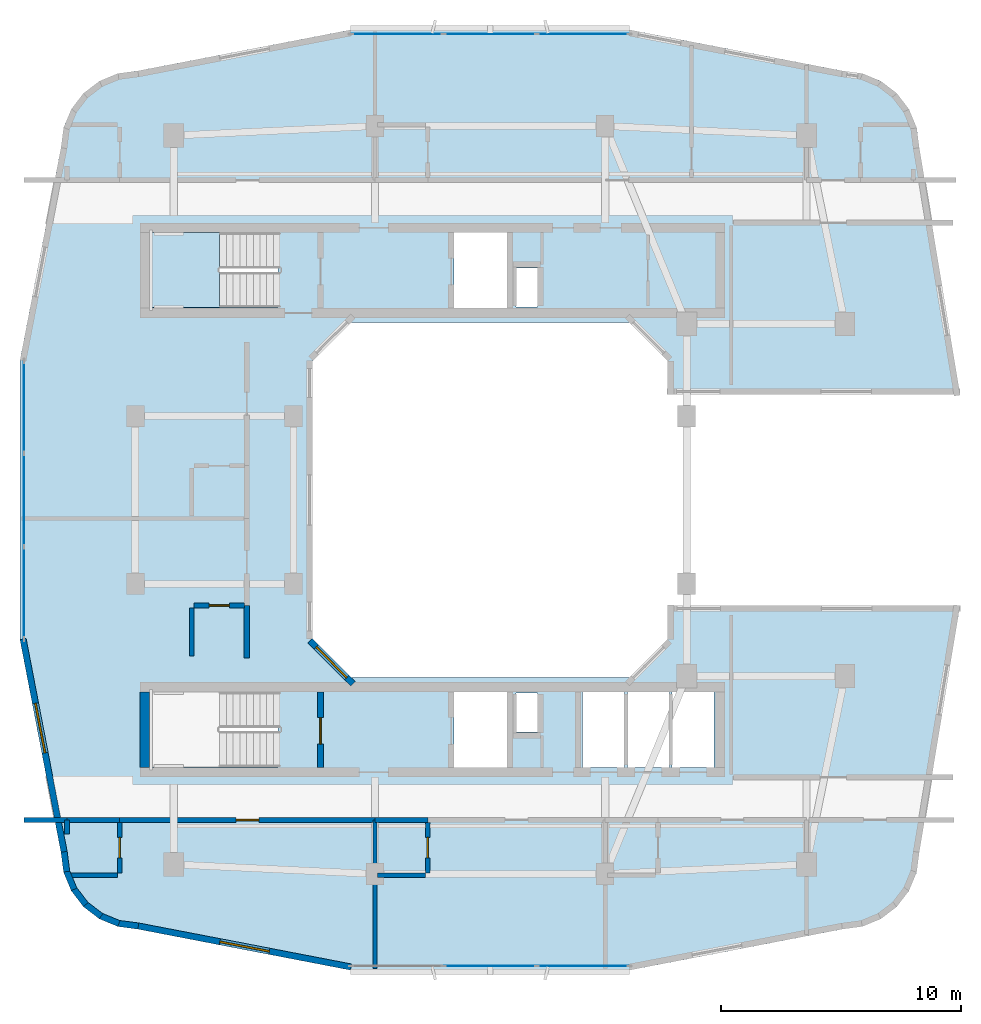
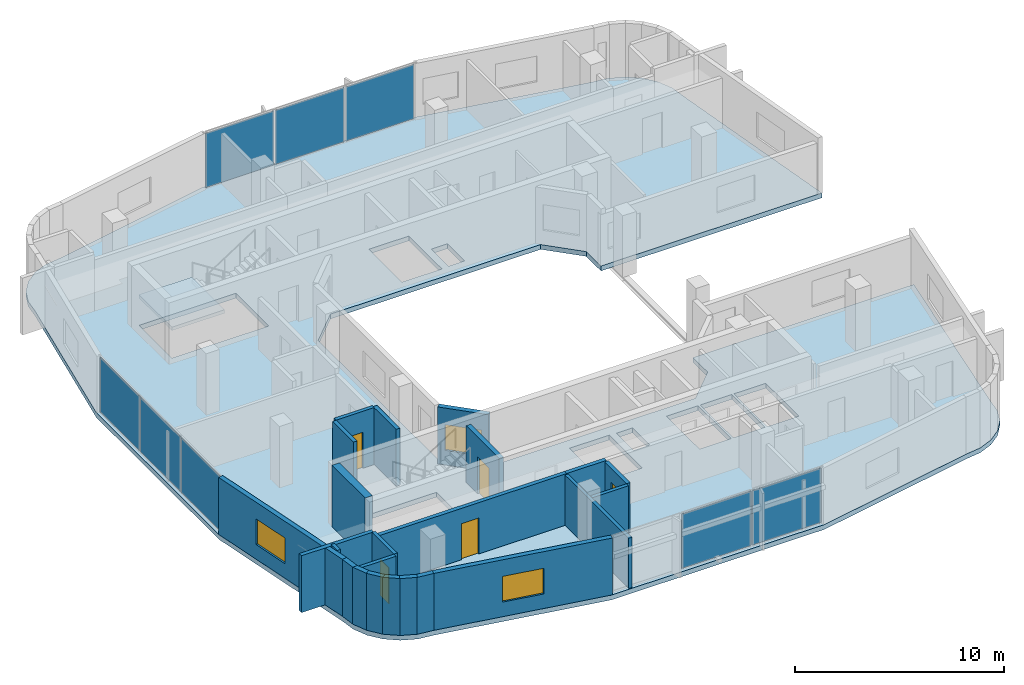
# One storey, part 4 of 12: 24 walls, 8 plates, 5 doors, 3 windows, 2 slabs, 8 openings, 4 elements without a shape of their own.
"""IFC4 building model written with IfcOpenShell, lengths in metres."""

from ifc_helpers import new_model, si_unit, derived_unit, direction, frame, frame_2d, origin, origin_2d, place, context, subcontext, project, spatial, polyline, rectangle, outline, extrude, material, layer, layer_set, type_object, element, fill, aggregate, save


model = new_model("IFC4")

# Units and contexts
model_context = context("Model", 3, precision=1e-05, world=origin(), true_north=direction((0.0, 1.0)))
body_context = subcontext(model_context, "Body", "Model", "MODEL_VIEW")
ifc_project = project(units=[si_unit("LENGTHUNIT", "METRE"), si_unit("AREAUNIT", "SQUARE_METRE"), si_unit("VOLUMEUNIT", "CUBIC_METRE"), si_unit("PLANEANGLEUNIT", "RADIAN"), si_unit("MASSUNIT", "GRAM", prefix="KILO"), derived_unit("THERMALTRANSMITTANCEUNIT", [(si_unit("POWERUNIT", "WATT"), 1), (si_unit("LENGTHUNIT", "METRE"), -2), (si_unit("THERMODYNAMICTEMPERATUREUNIT", "KELVIN"), -1)])], contexts=[model_context])

# Site, building, storey
site_placement = place(None, origin())
site = spatial("IfcSite", under=ifc_project, at=site_placement, CompositionType="ELEMENT")
building_placement = place(site_placement, origin())
building = spatial("IfcBuilding", under=site, at=building_placement, Name="Kivonza Crest Hotel", CompositionType="ELEMENT")
storey_placement = place(building_placement, frame((0.0, 0.0, 184.699951171875)))
storey = spatial("IfcBuildingStorey", under=building, at=storey_placement, Name="L50", CompositionType="ELEMENT", Elevation=184.699951171875)

# Curtain wall, plates
ifc_material_1 = material(Name="Anodised bronze aluminium and low-E double glazing", Category="aluminium")
ifc_layer_1 = layer(ifc_material_1, 0.179931640625)
ifc_layer_set_1 = layer_set([ifc_layer_1], Name="Anodised bronze aluminium and low-E double glazing")
curtain_wall_type = type_object("IfcCurtainWallType", Name="CW-SYS-3", PredefinedType="NOTDEFINED", material=ifc_layer_set_1)
curtain_wall_1_placement = place(storey_placement, origin())
curtain_wall_1 = element("IfcCurtainWall", 1, at=curtain_wall_1_placement, inside=storey, type_object=curtain_wall_type, Name="L50 unitised curtain wall CW-T1-L50-08", PredefinedType="NOTDEFINED")
ifc_material_2 = material(Name="Acoustic triple-laminated low-E glazing", Category="glass")
ifc_layer_2 = layer(ifc_material_2, 0.035888671875)
ifc_layer_set_2 = layer_set([ifc_layer_2], Name="Acoustic triple-laminated low-E glazing")
plate_type = type_object("IfcPlateType", Name="CW-PNL-36", PredefinedType="CURTAIN_PANEL", material=ifc_layer_set_2)
plate_1_placement = place(storey_placement, frame((21.0, 5.56005859375, 0.0751953125), z_axis=(0.0, 0.0, 1.0), x_axis=(1.0, 0.0, 0.0)))
plate_1 = element("IfcPlate", 2, at=plate_1_placement, type_object=plate_type, Name="CW-3 panel 2.1", PredefinedType="CURTAIN_PANEL", context=body_context, shape_type="SweptSolid", body=[
    extrude(rectangle(XDim=3.818359375, YDim=0.035888671875, at=origin_2d()), origin(), (0.0, 0.0, 1.0), 3.169921875),
])
plate_2_placement = place(storey_placement, frame((24.87451171875, 5.56005859375, 0.0751953125), z_axis=(0.0, 0.0, 1.0), x_axis=(1.0, 0.0, 0.0)))
plate_2 = element("IfcPlate", 3, at=plate_2_placement, type_object=plate_type, Name="CW-3 panel 3.1", PredefinedType="CURTAIN_PANEL", context=body_context, shape_type="SweptSolid", body=[
    extrude(rectangle(XDim=3.78076171875, YDim=0.035888671875, at=origin_2d()), origin(), (0.0, 0.0, 1.0), 3.169921875),
])
aggregate(curtain_wall_1, [plate_1, plate_2])

curtain_wall_2_placement = place(storey_placement, origin())
curtain_wall_2 = element("IfcCurtainWall", 4, at=curtain_wall_2_placement, inside=storey, type_object=curtain_wall_type, Name="L50 unitised curtain wall CW-T1-L50-36", PredefinedType="NOTDEFINED")
plate_3_placement = place(storey_placement, frame((24.87451171875, 44.43994140625, 0.0751953125), z_axis=(0.0, 0.0, 1.0), x_axis=(-1.0, 0.0, 0.0)))
plate_3 = element("IfcPlate", 5, at=plate_3_placement, type_object=plate_type, Name="CW-3 panel 1.1", PredefinedType="CURTAIN_PANEL", context=body_context, shape_type="SweptSolid", body=[
    extrude(rectangle(XDim=3.78076171875, YDim=0.035888671875, at=origin_2d()), origin(), (0.0, 0.0, 1.0), 3.169921875),
])
plate_4_placement = place(storey_placement, frame((21.0, 44.43994140625, 0.0751953125), z_axis=(0.0, 0.0, 1.0), x_axis=(-1.0, 0.0, 0.0)))
plate_4 = element("IfcPlate", 6, at=plate_4_placement, type_object=plate_type, Name="CW-3 panel 2.1", PredefinedType="CURTAIN_PANEL", context=body_context, shape_type="SweptSolid", body=[
    extrude(rectangle(XDim=3.818359375, YDim=0.035888671875, at=origin_2d()), origin(), (0.0, 0.0, 1.0), 3.169921875),
])
plate_5_placement = place(storey_placement, frame((17.12548828125, 44.43994140625, 0.0751953125), z_axis=(0.0, 0.0, 1.0), x_axis=(-1.0, 0.0, 0.0)))
plate_5 = element("IfcPlate", 7, at=plate_5_placement, type_object=plate_type, Name="CW-3 panel 3.1", PredefinedType="CURTAIN_PANEL", context=body_context, shape_type="SweptSolid", body=[
    extrude(rectangle(XDim=3.78076171875, YDim=0.035888671875, at=origin_2d()), origin(), (0.0, 0.0, 1.0), 3.169921875),
])
aggregate(curtain_wall_2, [plate_3, plate_4, plate_5])

curtain_wall_3_placement = place(storey_placement, origin())
curtain_wall_3 = element("IfcCurtainWall", 8, at=curtain_wall_3_placement, inside=storey, type_object=curtain_wall_type, Name="L50 unitised curtain wall CW-T1-L50-45", PredefinedType="NOTDEFINED")
plate_6_placement = place(storey_placement, frame((1.56005859375, 28.87451171875, 0.0751953125), z_axis=(0.0, 0.0, 1.0), x_axis=(0.0, -1.0, 0.0)))
plate_6 = element("IfcPlate", 9, at=plate_6_placement, type_object=plate_type, Name="CW-3 panel 1.1", PredefinedType="CURTAIN_PANEL", context=body_context, shape_type="SweptSolid", body=[
    extrude(rectangle(XDim=3.78076171875, YDim=0.035888671875, at=origin_2d()), origin(), (0.0, 0.0, 1.0), 3.169921875),
])
plate_7_placement = place(storey_placement, frame((1.56005859375, 25.0, 0.0751953125), z_axis=(0.0, 0.0, 1.0), x_axis=(0.0, -1.0, 0.0)))
plate_7 = element("IfcPlate", 10, at=plate_7_placement, type_object=plate_type, Name="CW-3 panel 2.1", PredefinedType="CURTAIN_PANEL", context=body_context, shape_type="SweptSolid", body=[
    extrude(rectangle(XDim=3.818359375, YDim=0.035888671875, at=origin_2d()), origin(), (0.0, 0.0, 1.0), 3.169921875),
])
plate_8_placement = place(storey_placement, frame((1.56005859375, 21.12548828125, 0.0751953125), z_axis=(0.0, 0.0, 1.0), x_axis=(0.0, -1.0, 0.0)))
plate_8 = element("IfcPlate", 11, at=plate_8_placement, type_object=plate_type, Name="CW-3 panel 3.1", PredefinedType="CURTAIN_PANEL", context=body_context, shape_type="SweptSolid", body=[
    extrude(rectangle(XDim=3.78076171875, YDim=0.035888671875, at=origin_2d()), origin(), (0.0, 0.0, 1.0), 3.169921875),
])
aggregate(curtain_wall_3, [plate_6, plate_7, plate_8])

# Slab
ifc_material_3 = material(Name="Concrete C40/50", Category="concrete")
ifc_layer_3 = layer(ifc_material_3, 0.280029296875)
ifc_layer_set_3 = layer_set([ifc_layer_3], Name="Concrete C40/50")
slab_type_1 = type_object("IfcSlabType", Name="SL-HTL-280", PredefinedType="FLOOR", material=ifc_layer_set_3)
slab_1_placement = place(storey_placement, frame((0.0, 0.0, -0.280029296875)))
element("IfcSlab", 12, at=slab_1_placement, inside=storey, type_object=slab_type_1, Name="Tower T1 L50 floor slab", PredefinedType="FLOOR", context=body_context, shape_type="SweptSolid", body=[
    extrude(outline(polyline([(3.10009765625, 10.300048828125), (3.208984375, 9.471923828125), (3.529052734375, 8.699951171875), (4.037109375, 8.037109375), (4.699951171875, 7.529052734375), (5.471923828125, 7.208984375), (6.300048828125, 7.10009765625), (15.1201171875, 5.39990234375), (26.8798828125, 5.39990234375), (35.699951171875, 7.10009765625), (36.528076171875, 7.208984375), (37.300048828125, 7.529052734375), (37.962890625, 8.037109375), (38.470947265625, 8.699951171875), (38.791015625, 9.471923828125), (38.89990234375, 10.300048828125), (40.60009765625, 20.60009765625), (28.39990234375, 20.60009765625), (28.39990234375, 19.199951171875), (26.800048828125, 17.60009765625), (15.199951171875, 17.60009765625), (13.60009765625, 19.199951171875), (13.60009765625, 30.800048828125), (15.199951171875, 32.39990234375), (26.800048828125, 32.39990234375), (28.39990234375, 30.800048828125), (28.39990234375, 29.39990234375), (40.60009765625, 29.39990234375), (38.89990234375, 39.699951171875), (38.791015625, 40.528076171875), (38.470947265625, 41.300048828125), (37.962890625, 41.962890625), (37.300048828125, 42.470947265625), (36.528076171875, 42.791015625), (35.699951171875, 42.89990234375), (26.8798828125, 44.60009765625), (15.1201171875, 44.60009765625), (6.300048828125, 42.89990234375), (5.471923828125, 42.791015625), (4.699951171875, 42.470947265625), (4.037109375, 41.962890625), (3.529052734375, 41.300048828125), (3.208984375, 40.528076171875), (3.10009765625, 39.699951171875), (1.39990234375, 30.8798828125), (1.39990234375, 19.1201171875), (3.10009765625, 10.300048828125)]), holes=[polyline([(6.800048828125, 33.02001953125), (12.159912109375, 33.02001953125), (12.159912109375, 36.159912109375), (6.800048828125, 36.159912109375), (6.800048828125, 33.02001953125)]), polyline([(6.800048828125, 13.860107421875), (12.159912109375, 13.860107421875), (12.159912109375, 17.0), (6.800048828125, 17.0), (6.800048828125, 13.860107421875)]), polyline([(22.080078125, 33.0400390625), (22.969970703125, 33.0400390625), (22.969970703125, 34.679931640625), (22.080078125, 34.679931640625), (22.080078125, 33.0400390625)]), polyline([(22.080078125, 15.320068359375), (22.969970703125, 15.320068359375), (22.969970703125, 16.9599609375), (22.080078125, 16.9599609375), (22.080078125, 15.320068359375)]), polyline([(19.5, 33.0), (21.699951171875, 33.0), (21.699951171875, 36.159912109375), (19.5, 36.159912109375), (19.5, 33.0)]), polyline([(19.5, 13.840087890625), (21.699951171875, 13.840087890625), (21.699951171875, 17.0), (19.5, 17.0), (19.5, 13.840087890625)]), polyline([(24.860107421875, 13.840087890625), (26.60693359375, 13.840087890625), (26.60693359375, 17.0), (24.860107421875, 17.0), (24.860107421875, 13.840087890625)]), polyline([(26.72705078125, 13.840087890625), (28.472900390625, 13.840087890625), (28.472900390625, 17.0), (26.72705078125, 17.0), (26.72705078125, 13.840087890625)]), polyline([(28.593017578125, 13.840087890625), (30.340087890625, 13.840087890625), (30.340087890625, 17.0), (28.593017578125, 17.0), (28.593017578125, 13.840087890625)])]), origin(), (0.0, 0.0, 1.0), 0.280029296875),
])

# Stair, slab
stair_type = type_object("IfcStairType", Name="ST-DL-20R", PredefinedType="HALF_TURN_STAIR", material=ifc_material_3)
stair_placement = place(storey_placement, origin())
stair = element("IfcStair", 13, at=stair_placement, inside=storey, type_object=stair_type, Name="L50 Protected Exit Stair ST-T1-N", PredefinedType="HALF_TURN_STAIR")
ifc_layer_4 = layer(ifc_material_3, 0.199951171875)
ifc_layer_set_4 = layer_set([ifc_layer_4], Name="Concrete C40/50")
slab_type_2 = type_object("IfcSlabType", Name="SL-LAND-200", PredefinedType="LANDING", material=ifc_layer_set_4)
slab_2_placement = place(storey_placement, frame((0.0, 0.0, 1.60009765625)))
slab_2 = element("IfcSlab", 14, at=slab_2_placement, type_object=slab_type_2, Name="ST-T1-N landing 1", PredefinedType="LANDING", context=body_context, shape_type="SweptSolid", body=[
    extrude(outline(polyline([(9.719970703125, 36.159912109375), (6.800048828125, 36.159912109375), (6.800048828125, 33.02001953125), (9.719970703125, 33.02001953125), (9.719970703125, 36.159912109375)])), origin(), (0.0, 0.0, 1.0), 0.199951171875),
])
aggregate(stair, [slab_2])

# Walls
ifc_material_4 = material(Name="High-density acoustic masonry inter-tenancy wall", Category="masonry")
ifc_layer_5 = layer(ifc_material_4, 0.179931640625)
ifc_layer_set_5 = layer_set([ifc_layer_5], Name="High-density acoustic masonry inter-tenancy wall")
wall_type_1 = type_object("IfcWallType", Name="WL-ACOU-180", PredefinedType="SOLIDWALL", material=ifc_layer_set_5)
wall_1_placement = place(storey_placement, frame((16.199951171875, 5.4599609375, 0.0), z_axis=(0.0, 0.0, 1.0), x_axis=(0.0, 1.0, 0.0)))
element("IfcWall", 15, at=wall_1_placement, inside=storey, type_object=wall_type_1, Name="L50 interior partition WA-L50-T1S-DIV1", PredefinedType="SOLIDWALL", context=body_context, shape_type="SweptSolid", body=[
    extrude(rectangle(XDim=6.18994140625, YDim=0.179931640625, at=frame_2d((3.094970703125, 0.0))), origin(), (0.0, 0.0, 1.0), 2.93505859375),
])
ifc_material_5 = material(Name="Autoclaved aerated concrete blockwork", Category="masonry")
ifc_layer_6 = layer(ifc_material_5, 0.219970703125)
ifc_layer_set_6 = layer_set([ifc_layer_6], Name="Autoclaved aerated concrete blockwork")
wall_type_2 = type_object("IfcWallType", Name="WL-ACOU-220", PredefinedType="SOLIDWALL", material=ifc_layer_set_6)
wall_2_placement = place(storey_placement, frame((1.56005859375, 11.64990234375, 0.0), z_axis=(0.0, 0.0, 1.0), x_axis=(1.0, 0.0, 0.0)))
element("IfcWall", 16, at=wall_2_placement, inside=storey, type_object=wall_type_2, Name="L50 interior partition WA-L50-S04-XCORR", PredefinedType="SOLIDWALL", context=body_context, shape_type="SweptSolid", body=[
    extrude(rectangle(XDim=1.7900390625, YDim=0.219970703125, at=frame_2d((0.89501953125, 0.0))), origin(), (0.0, 0.0, 1.0), 3.320068359375),
])
wall_3_placement = place(storey_placement, frame((3.35009765625, 11.64990234375, 0.0), z_axis=(0.0, 0.0, 1.0), x_axis=(1.0, 0.0, 0.0)))
element("IfcWall", 17, at=wall_3_placement, inside=storey, type_object=wall_type_2, Name="L50 interior partition WA-L50-S04-BCORR", PredefinedType="SOLIDWALL", context=body_context, shape_type="SweptSolid", body=[
    extrude(rectangle(XDim=2.199951171875, YDim=0.219970703125, at=frame_2d((1.10009765625, 0.0))), origin(), (0.0, 0.0, 1.0), 3.320068359375),
])

# Wall, opening, door
wall_4_placement = place(storey_placement, frame((5.550048828125, 11.64990234375, 0.0), z_axis=(0.0, 0.0, 1.0), x_axis=(1.0, 0.0, 0.0)))
wall_4 = element("IfcWall", 18, at=wall_4_placement, inside=storey, type_object=wall_type_2, Name="L50 interior partition WA-L50-S04-MCORR", PredefinedType="SOLIDWALL", context=body_context, shape_type="SweptSolid", body=[
    extrude(rectangle(XDim=10.64990234375, YDim=0.219970703125, at=frame_2d((5.324951171875, 0.0))), origin(), (0.0, 0.0, 1.0), 2.9951171875),
])
opening_1_placement = place(wall_4_placement, frame((4.85009765625, 0.0, 0.0)))
opening_1 = element("IfcOpeningElement", 19, at=opening_1_placement, cuts=wall_4, Name="Opening DU-60", PredefinedType="OPENING", context=body_context, shape_type="SweptSolid", body=[
    extrude(rectangle(XDim=0.949951171875, YDim=2.10009765625, at=frame_2d((0.47509765625, 1.050048828125))), frame((0.0, 0.1201171875, 0.0), z_axis=(0.0, -1.0, 0.0), x_axis=(1.0, 0.0, 0.0)), (0.0, 0.0, 1.0), 0.239990234375),
])
ifc_material_6 = material(Name="Hardwood timber oak", Category="wood")
door_type_1 = type_object("IfcDoorType", Name="DR-UNIT-950", OperationType="NOTDEFINED", PredefinedType="DOOR", material=ifc_material_6)
door_1_placement = place(opening_1_placement, frame((0.949951171875, 0.0, 0.0), z_axis=(0.0, 0.0, 1.0), x_axis=(-1.0, 0.0, 0.0)))
door_1 = element("IfcDoor", 20, at=door_1_placement, inside=storey, type_object=door_type_1, Name="L50 S04 guest unit entrance fire door", OperationType="SINGLE_SWING_RIGHT", OverallHeight=2.10009765625, OverallWidth=0.949951171875, PredefinedType="DOOR", context=body_context, shape_type="SweptSolid", body=[
    extrude(rectangle(XDim=0.949951171875, YDim=2.10009765625, at=frame_2d((0.47509765625, 1.050048828125))), frame((0.0, 0.02490234375, 0.0), z_axis=(0.0, -1.0, 0.0), x_axis=(1.0, 0.0, 0.0)), (0.0, 0.0, 1.0), 0.050048828125),
])
fill(opening_1, door_1)

# Walls
wall_5_placement = place(storey_placement, frame((16.199951171875, 11.64990234375, 0.0), z_axis=(0.0, 0.0, 1.0), x_axis=(1.0, 0.0, 0.0)))
element("IfcWall", 21, at=wall_5_placement, inside=storey, type_object=wall_type_2, Name="L50 interior partition WA-L50-S05-BCORR", PredefinedType="SOLIDWALL", context=body_context, shape_type="SweptSolid", body=[
    extrude(rectangle(XDim=2.199951171875, YDim=0.219970703125, at=frame_2d((1.10009765625, 0.0))), origin(), (0.0, 0.0, 1.0), 2.9951171875),
])
wall_6_placement = place(storey_placement, frame((10.85009765625, 18.39990234375, 0.0), z_axis=(0.0, 0.0, 1.0), x_axis=(0.0, 1.0, 0.0)))
element("IfcWall", 22, at=wall_6_placement, inside=storey, type_object=wall_type_2, Name="L50 interior partition WA-L50-W07-BCORR", PredefinedType="SOLIDWALL", context=body_context, shape_type="SweptSolid", body=[
    extrude(rectangle(XDim=2.2001953125, YDim=0.219970703125, at=frame_2d((1.10009765625, 0.0))), origin(), (0.0, 0.0, 1.0), 3.320068359375),
])
ifc_material_7 = material(Name="Concrete C50/60", Category="concrete")
ifc_layer_7 = layer(ifc_material_7, 0.39990234375)
ifc_layer_set_7 = layer_set([ifc_layer_7], Name="Concrete C50/60")
wall_type_3 = type_object("IfcWallType", Name="WL-CORE-400", PredefinedType="SHEAR", material=ifc_layer_set_7)
wall_7_placement = place(storey_placement, frame((6.60009765625, 13.840087890625, 0.0), z_axis=(0.0, 0.0, 1.0), x_axis=(0.0, 1.0, 0.0)))
element("IfcWall", 23, at=wall_7_placement, inside=storey, type_object=wall_type_3, Name="Core wall T1-S West L50", PredefinedType="SHEAR", context=body_context, shape_type="SweptSolid", body=[
    extrude(rectangle(XDim=3.159912109375, YDim=0.39990234375, at=frame_2d((1.580078125, 0.0))), origin(), (0.0, 0.0, 1.0), 3.60009765625),
])
ifc_material_8 = material(Name="Precast concrete C40/50", Category="concrete")
ifc_layer_8 = layer(ifc_material_8, 0.260009765625)
ifc_layer_set_8 = layer_set([ifc_layer_8], Name="Precast concrete C40/50")
wall_type_4 = type_object("IfcWallType", Name="WL-EXT-260", PredefinedType="STANDARD", material=ifc_layer_set_8)
wall_8_placement = place(storey_placement, frame((3.22802734375, 10.324951171875, 0.0), z_axis=(0.0, 0.0, 1.0), x_axis=(0.130704676564, -0.99142134712, 0.0)))
element("IfcWall", 24, at=wall_8_placement, inside=storey, type_object=wall_type_4, Name="L50 T1 exterior insulated wall 1", PredefinedType="STANDARD", context=body_context, shape_type="SweptSolid", body=[
    extrude(rectangle(XDim=0.8330078125, YDim=0.260009765625, at=frame_2d((0.41650390625, 0.0))), origin(), (0.0, 0.0, 1.0), 3.320068359375),
])
wall_9_placement = place(storey_placement, frame((3.319091796875, 9.544921875, 0.0), z_axis=(0.0, 0.0, 1.0), x_axis=(0.383086687796, -0.923712395518, 0.0)))
element("IfcWall", 25, at=wall_9_placement, inside=storey, type_object=wall_type_4, Name="L50 T1 exterior insulated wall 2", PredefinedType="STANDARD", context=body_context, shape_type="SweptSolid", body=[
    extrude(rectangle(XDim=0.850830078125, YDim=0.260009765625, at=frame_2d((0.42529296875, 0.0))), origin(), (0.0, 0.0, 1.0), 3.320068359375),
])
for number, where, z_axis, x_axis, name in (
    (26, (3.616943359375, 8.799072265625, 0.0), (0.0, 0.0, 1.0), (0.608099977432, -0.793860452124, 0.0), "L50 T1 exterior insulated wall 3"),
    (27, (4.095947265625, 8.155029296875, 0.0), (0.0, 0.0, 1.0), (0.793860452124, -0.608099977432, 0.0), "L50 T1 exterior insulated wall 4"),
):
    element("IfcWall", number, at=place(storey_placement, frame(where, z_axis=z_axis, x_axis=x_axis)), inside=storey, type_object=wall_type_4, Name=name, PredefinedType="STANDARD", context=body_context, shape_type="SweptSolid", body=[
        extrude(rectangle(XDim=0.850341796875, YDim=0.260009765625, at=frame_2d((0.42529296875, 0.0))), origin(), (0.0, 0.0, 1.0), 3.320068359375),
    ])
wall_10_placement = place(storey_placement, frame((4.72705078125, 7.658935546875, 0.0), z_axis=(0.0, 0.0, 1.0), x_axis=(0.923712395518, -0.383086687796, 0.0)))
element("IfcWall", 28, at=wall_10_placement, inside=storey, type_object=wall_type_4, Name="L50 T1 exterior insulated wall 5", PredefinedType="STANDARD", context=body_context, shape_type="SweptSolid", body=[
    extrude(rectangle(XDim=0.850830078125, YDim=0.260009765625, at=frame_2d((0.42529296875, 0.0))), origin(), (0.0, 0.0, 1.0), 3.320068359375),
])
wall_11_placement = place(storey_placement, frame((5.464111328125, 7.341064453125, 0.0), z_axis=(0.0, 0.0, 1.0), x_axis=(0.991488716273, -0.130192647656, 0.0)))
element("IfcWall", 29, at=wall_11_placement, inside=storey, type_object=wall_type_4, Name="L50 T1 exterior insulated wall 6", PredefinedType="STANDARD", context=body_context, shape_type="SweptSolid", body=[
    extrude(rectangle(XDim=0.8681640625, YDim=0.260009765625, at=frame_2d((0.43408203125, 0.0))), origin(), (0.0, 0.0, 1.0), 3.320068359375),
])

# Wall, opening, window
wall_12_placement = place(storey_placement, frame((6.31689453125, 7.22998046875, 0.0), z_axis=(0.0, 0.0, 1.0), x_axis=(0.98192801022, -0.189254809039, 0.0)))
wall_12 = element("IfcWall", 30, at=wall_12_placement, inside=storey, type_object=wall_type_4, Name="L50 T1 exterior insulated wall 7", PredefinedType="STANDARD", context=body_context, shape_type="SweptSolid", body=[
    extrude(rectangle(XDim=9.045654296875, YDim=0.260009765625, at=frame_2d((4.52294921875, 0.0))), origin(), (0.0, 0.0, 1.0), 3.320068359375),
])
opening_2_placement = place(wall_12_placement, frame((3.472900390625, 0.0, 0.85009765625)))
opening_2 = element("IfcOpeningElement", 31, at=opening_2_placement, cuts=wall_12, Name="Opening WN-04", PredefinedType="OPENING", context=body_context, shape_type="SweptSolid", body=[
    extrude(rectangle(XDim=2.10009765625, YDim=1.5, at=frame_2d((1.050048828125, 0.75))), frame((0.0, 0.14013671875, 0.0), z_axis=(0.0, -1.0, 0.0), x_axis=(1.0, 0.0, 0.0)), (0.0, 0.0, 1.0), 0.280029296875),
])
ifc_material_9 = material(Name="Thermally broken bronze aluminium and low-E double glazing", Category="aluminium")
window_type_1 = type_object("IfcWindowType", Name="WN-210x150", PartitioningType="DOUBLE_PANEL_VERTICAL", PredefinedType="WINDOW", material=ifc_material_9)
window_1_placement = place(opening_2_placement, origin())
window_1 = element("IfcWindow", 32, at=window_1_placement, inside=storey, type_object=window_type_1, Name="L50 T1 facade window 7", OverallHeight=1.5, OverallWidth=2.10009765625, PartitioningType="SINGLE_PANEL", PredefinedType="WINDOW", context=body_context, shape_type="SweptSolid", body=[
    extrude(rectangle(XDim=2.10009765625, YDim=1.5, at=frame_2d((1.050048828125, 0.75))), frame((0.0, 0.030029296875, 0.0), z_axis=(0.0, -1.0, 0.0), x_axis=(1.0, 0.0, 0.0)), (0.0, 0.0, 1.0), 0.06005859375),
])
fill(opening_2, window_1)

wall_13_placement = place(storey_placement, frame((15.278076171875, 17.337890625, 0.0), z_axis=(0.0, 0.0, 1.0), x_axis=(-0.707106781187, 0.707106781187, 0.0)))
wall_13 = element("IfcWall", 33, at=wall_13_placement, inside=storey, type_object=wall_type_4, Name="L50 T1 exterior insulated wall 21", PredefinedType="STANDARD", context=body_context, shape_type="SweptSolid", body=[
    extrude(rectangle(XDim=2.52880859375, YDim=0.260009765625, at=frame_2d((1.264404296875, 0.0))), origin(), (0.0, 0.0, 1.0), 3.320068359375),
])
opening_3_placement = place(wall_13_placement, frame((0.364013671875, 0.0, 0.85009765625)))
opening_3 = element("IfcOpeningElement", 34, at=opening_3_placement, cuts=wall_13, Name="Opening WN-03", PredefinedType="OPENING", context=body_context, shape_type="SweptSolid", body=[
    extrude(rectangle(XDim=1.800048828125, YDim=1.5, at=frame_2d((0.89990234375, 0.75))), frame((0.0, 0.14013671875, 0.0), z_axis=(0.0, -1.0, 0.0), x_axis=(1.0, 0.0, 0.0)), (0.0, 0.0, 1.0), 0.280029296875),
])
window_type_2 = type_object("IfcWindowType", Name="WN-180x150", PartitioningType="DOUBLE_PANEL_VERTICAL", PredefinedType="WINDOW", material=ifc_material_9)
window_2_placement = place(opening_3_placement, origin())
window_2 = element("IfcWindow", 35, at=window_2_placement, inside=storey, type_object=window_type_2, Name="L50 T1 facade window 21", OverallHeight=1.5, OverallWidth=1.800048828125, PartitioningType="SINGLE_PANEL", PredefinedType="WINDOW", context=body_context, shape_type="SweptSolid", body=[
    extrude(rectangle(XDim=1.800048828125, YDim=1.5, at=frame_2d((0.89990234375, 0.75))), frame((0.0, 0.030029296875, 0.0), z_axis=(0.0, -1.0, 0.0), x_axis=(1.0, 0.0, 0.0)), (0.0, 0.0, 1.0), 0.06005859375),
])
fill(opening_3, window_2)

wall_14_placement = place(storey_placement, frame((1.51806640625, 19.198974609375, 0.0), z_axis=(0.0, 0.0, 1.0), x_axis=(0.189254809039, -0.98192801022, 0.0)))
wall_14 = element("IfcWall", 36, at=wall_14_placement, inside=storey, type_object=wall_type_4, Name="L50 T1 exterior insulated wall 46", PredefinedType="STANDARD", context=body_context, shape_type="SweptSolid", body=[
    extrude(rectangle(XDim=9.045654296875, YDim=0.260009765625, at=frame_2d((4.52294921875, 0.0))), origin(), (0.0, 0.0, 1.0), 3.320068359375),
])
opening_4_placement = place(wall_14_placement, frame((2.73291015625, 0.0, 0.85009765625)))
opening_4 = element("IfcOpeningElement", 37, at=opening_4_placement, cuts=wall_14, Name="Opening WN-04", PredefinedType="OPENING", context=body_context, shape_type="SweptSolid", body=[
    extrude(rectangle(XDim=2.10009765625, YDim=1.5, at=frame_2d((1.050048828125, 0.75))), frame((0.0, 0.14013671875, 0.0), z_axis=(0.0, -1.0, 0.0), x_axis=(1.0, 0.0, 0.0)), (0.0, 0.0, 1.0), 0.280029296875),
])
window_3_placement = place(opening_4_placement, origin())
window_3 = element("IfcWindow", 38, at=window_3_placement, inside=storey, type_object=window_type_1, Name="L50 T1 facade window 46", OverallHeight=1.5, OverallWidth=2.10009765625, PartitioningType="SINGLE_PANEL", PredefinedType="WINDOW", context=body_context, shape_type="SweptSolid", body=[
    extrude(rectangle(XDim=2.10009765625, YDim=1.5, at=frame_2d((1.050048828125, 0.75))), frame((0.0, 0.030029296875, 0.0), z_axis=(0.0, -1.0, 0.0), x_axis=(1.0, 0.0, 0.0)), (0.0, 0.0, 1.0), 0.06005859375),
])
fill(opening_4, window_3)

# Wall, opening, door
ifc_material_10 = material(Name="Moisture-resistant plumbing chase partition wall", Category="gypsum")
ifc_layer_9 = layer(ifc_material_10, 0.199951171875)
ifc_layer_set_9 = layer_set([ifc_layer_9], Name="Moisture-resistant plumbing chase partition wall")
wall_type_5 = type_object("IfcWallType", Name="WL-PLUMB-200", PredefinedType="PLUMBINGWALL", material=ifc_layer_set_9)
wall_15_placement = place(storey_placement, frame((5.550048828125, 9.449951171875, 0.0), z_axis=(0.0, 0.0, 1.0), x_axis=(0.0, 1.0, 0.0)))
wall_15 = element("IfcWall", 39, at=wall_15_placement, inside=storey, type_object=wall_type_5, Name="L50 interior partition WW-L50-S04-BV", PredefinedType="PLUMBINGWALL", context=body_context, shape_type="SweptSolid", body=[
    extrude(rectangle(XDim=2.10009765625, YDim=0.199951171875, at=frame_2d((1.050048828125, 0.0))), origin(), (0.0, 0.0, 1.0), 3.320068359375),
])
opening_5_placement = place(wall_15_placement, frame((0.625, 0.0, 0.0)))
opening_5 = element("IfcOpeningElement", 40, at=opening_5_placement, cuts=wall_15, Name="Opening DI-85", PredefinedType="OPENING", context=body_context, shape_type="SweptSolid", body=[
    extrude(rectangle(XDim=0.85009765625, YDim=2.10009765625, at=frame_2d((0.425048828125, 1.050048828125))), frame((0.0, 0.10986328125, 0.0), z_axis=(0.0, -1.0, 0.0), x_axis=(1.0, 0.0, 0.0)), (0.0, 0.0, 1.0), 0.219970703125),
])
door_type_2 = type_object("IfcDoorType", Name="DR-INT-850", OperationType="NOTDEFINED", PredefinedType="DOOR", material=ifc_material_6)
door_2_placement = place(opening_5_placement, frame((0.85009765625, 0.0, 0.0), z_axis=(0.0, 0.0, 1.0), x_axis=(-1.0, 0.0, 0.0)))
door_2 = element("IfcDoor", 41, at=door_2_placement, inside=storey, type_object=door_type_2, Name="L50 S04 en-suite bathroom door", OperationType="SINGLE_SWING_LEFT", OverallHeight=2.10009765625, OverallWidth=0.85009765625, PredefinedType="DOOR", context=body_context, shape_type="SweptSolid", body=[
    extrude(rectangle(XDim=0.85009765625, YDim=2.10009765625, at=frame_2d((0.425048828125, 1.050048828125))), frame((0.0, 0.02490234375, 0.0), z_axis=(0.0, -1.0, 0.0), x_axis=(1.0, 0.0, 0.0)), (0.0, 0.0, 1.0), 0.050048828125),
])
fill(opening_5, door_2)

# Walls
wall_16_placement = place(storey_placement, frame((3.449951171875, 9.35009765625, 0.0), z_axis=(0.0, 0.0, 1.0), x_axis=(1.0, 0.0, 0.0)))
element("IfcWall", 42, at=wall_16_placement, inside=storey, type_object=wall_type_5, Name="L50 interior partition WW-L50-S04-BH", PredefinedType="PLUMBINGWALL", context=body_context, shape_type="SweptSolid", body=[
    extrude(rectangle(XDim=2.0, YDim=0.199951171875, at=frame_2d((1.0, 0.0))), origin(), (0.0, 0.0, 1.0), 3.320068359375),
])
wall_17_placement = place(storey_placement, frame((3.35009765625, 11.072998046875, 0.0), z_axis=(0.0, 0.0, 1.0), x_axis=(0.0, 1.0, 0.0)))
element("IfcWall", 43, at=wall_17_placement, inside=storey, type_object=wall_type_5, Name="L50 interior partition WW-L50-S04-BVW", PredefinedType="PLUMBINGWALL", context=body_context, shape_type="SweptSolid", body=[
    extrude(rectangle(XDim=0.576904296875, YDim=0.199951171875, at=frame_2d((0.28857421875, 0.0))), origin(), (0.0, 0.0, 1.0), 3.320068359375),
])

# Wall, opening, door
wall_18_placement = place(storey_placement, frame((18.39990234375, 9.449951171875, 0.0), z_axis=(0.0, 0.0, 1.0), x_axis=(0.0, 1.0, 0.0)))
wall_18 = element("IfcWall", 44, at=wall_18_placement, inside=storey, type_object=wall_type_5, Name="L50 interior partition WW-L50-S05-BV", PredefinedType="PLUMBINGWALL", context=body_context, shape_type="SweptSolid", body=[
    extrude(rectangle(XDim=2.10009765625, YDim=0.199951171875, at=frame_2d((1.050048828125, 0.0))), origin(), (0.0, 0.0, 1.0), 2.93505859375),
])
opening_6_placement = place(wall_18_placement, frame((0.625, 0.0, 0.0)))
opening_6 = element("IfcOpeningElement", 45, at=opening_6_placement, cuts=wall_18, Name="Opening DI-85", PredefinedType="OPENING", context=body_context, shape_type="SweptSolid", body=[
    extrude(rectangle(XDim=0.85009765625, YDim=2.10009765625, at=frame_2d((0.425048828125, 1.050048828125))), frame((0.0, 0.10986328125, 0.0), z_axis=(0.0, -1.0, 0.0), x_axis=(1.0, 0.0, 0.0)), (0.0, 0.0, 1.0), 0.219970703125),
])
door_3_placement = place(opening_6_placement, frame((0.85009765625, 0.0, 0.0), z_axis=(0.0, 0.0, 1.0), x_axis=(-1.0, 0.0, 0.0)))
door_3 = element("IfcDoor", 46, at=door_3_placement, inside=storey, type_object=door_type_2, Name="L50 S05 en-suite bathroom door", OperationType="SINGLE_SWING_RIGHT", OverallHeight=2.10009765625, OverallWidth=0.85009765625, PredefinedType="DOOR", context=body_context, shape_type="SweptSolid", body=[
    extrude(rectangle(XDim=0.85009765625, YDim=2.10009765625, at=frame_2d((0.425048828125, 1.050048828125))), frame((0.0, 0.02490234375, 0.0), z_axis=(0.0, -1.0, 0.0), x_axis=(1.0, 0.0, 0.0)), (0.0, 0.0, 1.0), 0.050048828125),
])
fill(opening_6, door_3)

# Wall
wall_19_placement = place(storey_placement, frame((16.300048828125, 9.35009765625, 0.0), z_axis=(0.0, 0.0, 1.0), x_axis=(1.0, 0.0, 0.0)))
element("IfcWall", 47, at=wall_19_placement, inside=storey, type_object=wall_type_5, Name="L50 interior partition WW-L50-S05-BH", PredefinedType="PLUMBINGWALL", context=body_context, shape_type="SweptSolid", body=[
    extrude(rectangle(XDim=2.0, YDim=0.199951171875, at=frame_2d((1.0, 0.0))), origin(), (0.0, 0.0, 1.0), 2.93505859375),
])

# Wall, opening, door
wall_20_placement = place(storey_placement, frame((8.64990234375, 20.60009765625, 0.0), z_axis=(0.0, 0.0, 1.0), x_axis=(1.0, 0.0, 0.0)))
wall_20 = element("IfcWall", 48, at=wall_20_placement, inside=storey, type_object=wall_type_5, Name="L50 interior partition WW-L50-W07-BH", PredefinedType="PLUMBINGWALL", context=body_context, shape_type="SweptSolid", body=[
    extrude(rectangle(XDim=2.10009765625, YDim=0.199951171875, at=frame_2d((1.050048828125, 0.0))), origin(), (0.0, 0.0, 1.0), 3.320068359375),
])
opening_7_placement = place(wall_20_placement, frame((0.625, 0.0, 0.0)))
opening_7 = element("IfcOpeningElement", 49, at=opening_7_placement, cuts=wall_20, Name="Opening DI-85", PredefinedType="OPENING", context=body_context, shape_type="SweptSolid", body=[
    extrude(rectangle(XDim=0.85009765625, YDim=2.10009765625, at=frame_2d((0.425048828125, 1.050048828125))), frame((0.0, 0.10986328125, 0.0), z_axis=(0.0, -1.0, 0.0), x_axis=(1.0, 0.0, 0.0)), (0.0, 0.0, 1.0), 0.219970703125),
])
door_4_placement = place(opening_7_placement, origin())
door_4 = element("IfcDoor", 50, at=door_4_placement, inside=storey, type_object=door_type_2, Name="L50 W07 en-suite bathroom door", OperationType="SINGLE_SWING_RIGHT", OverallHeight=2.10009765625, OverallWidth=0.85009765625, PredefinedType="DOOR", context=body_context, shape_type="SweptSolid", body=[
    extrude(rectangle(XDim=0.85009765625, YDim=2.10009765625, at=frame_2d((0.425048828125, 1.050048828125))), frame((0.0, 0.02490234375, 0.0), z_axis=(0.0, -1.0, 0.0), x_axis=(1.0, 0.0, 0.0)), (0.0, 0.0, 1.0), 0.050048828125),
])
fill(opening_7, door_4)

# Wall
wall_21_placement = place(storey_placement, frame((8.550048828125, 18.5, 0.0), z_axis=(0.0, 0.0, 1.0), x_axis=(0.0, 1.0, 0.0)))
element("IfcWall", 51, at=wall_21_placement, inside=storey, type_object=wall_type_5, Name="L50 interior partition WW-L50-W07-BV", PredefinedType="PLUMBINGWALL", context=body_context, shape_type="SweptSolid", body=[
    extrude(rectangle(XDim=2.0, YDim=0.199951171875, at=frame_2d((1.0, 0.0))), origin(), (0.0, 0.0, 1.0), 3.320068359375),
])

# Wall, opening, door
ifc_layer_10 = layer(ifc_material_7, 0.25)
ifc_layer_set_10 = layer_set([ifc_layer_10], Name="Concrete C50/60")
wall_type_6 = type_object("IfcWallType", Name="WL-SHAFT-250", PredefinedType="STANDARD", material=ifc_layer_set_10)
wall_22_placement = place(storey_placement, frame((13.925048828125, 13.840087890625, 0.0), z_axis=(0.0, 0.0, 1.0), x_axis=(0.0, 1.0, 0.0)))
wall_22 = element("IfcWall", 52, at=wall_22_placement, inside=storey, type_object=wall_type_6, Name="Core shaft wall T1-S STAIR L50", PredefinedType="STANDARD", context=body_context, shape_type="SweptSolid", body=[
    extrude(rectangle(XDim=3.159912109375, YDim=0.25, at=frame_2d((1.580078125, 0.0))), origin(), (0.0, 0.0, 1.0), 3.320068359375),
])
opening_8_placement = place(wall_22_placement, frame((0.97998046875, 0.0, 0.0)))
opening_8 = element("IfcOpeningElement", 53, at=opening_8_placement, cuts=wall_22, Name="Opening DF-120", PredefinedType="OPENING", context=body_context, shape_type="SweptSolid", body=[
    extrude(rectangle(XDim=1.10009765625, YDim=2.14990234375, at=frame_2d((0.550048828125, 1.074951171875))), frame((0.0, 0.135009765625, 0.0), z_axis=(0.0, -1.0, 0.0), x_axis=(1.0, 0.0, 0.0)), (0.0, 0.0, 1.0), 0.27001953125),
])
ifc_material_11 = material(Name="Galvanised steel", Category="steel")
door_type_3 = type_object("IfcDoorType", Name="DR-FD120-1100", OperationType="NOTDEFINED", PredefinedType="DOOR", material=ifc_material_11)
door_5_placement = place(opening_8_placement, frame((1.10009765625, 0.0, 0.0), z_axis=(0.0, 0.0, 1.0), x_axis=(-1.0, 0.0, 0.0)))
door_5 = element("IfcDoor", 54, at=door_5_placement, inside=storey, type_object=door_type_3, Name="L50 T1-S stair fire door", OperationType="SINGLE_SWING_RIGHT", OverallHeight=2.14990234375, OverallWidth=1.10009765625, PredefinedType="DOOR", context=body_context, shape_type="SweptSolid", body=[
    extrude(rectangle(XDim=1.10009765625, YDim=2.14990234375, at=frame_2d((0.550048828125, 1.074951171875))), frame((0.0, 0.02490234375, 0.0), z_axis=(0.0, -1.0, 0.0), x_axis=(1.0, 0.0, 0.0)), (0.0, 0.0, 1.0), 0.050048828125),
])
fill(opening_8, door_5)

save(model, "model.ifc")
